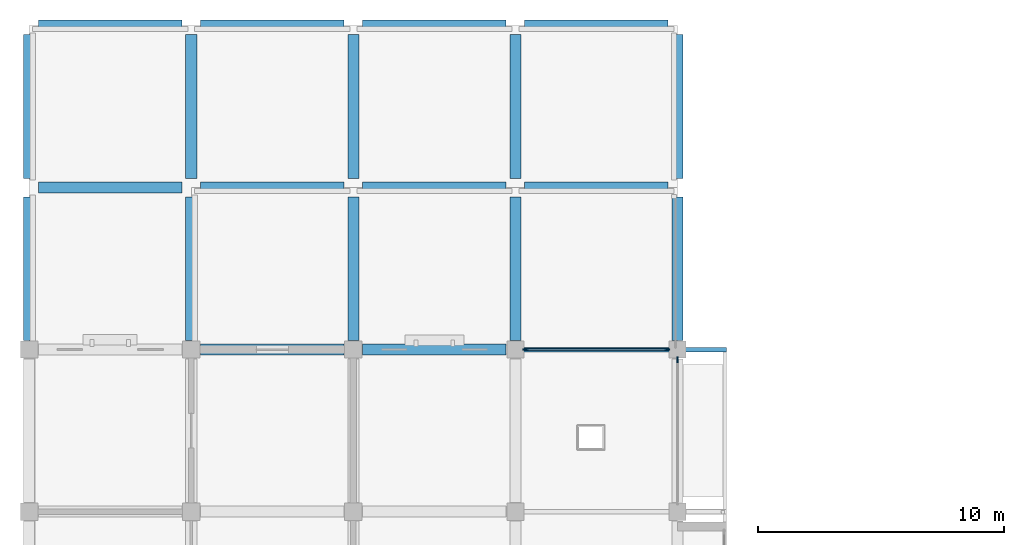
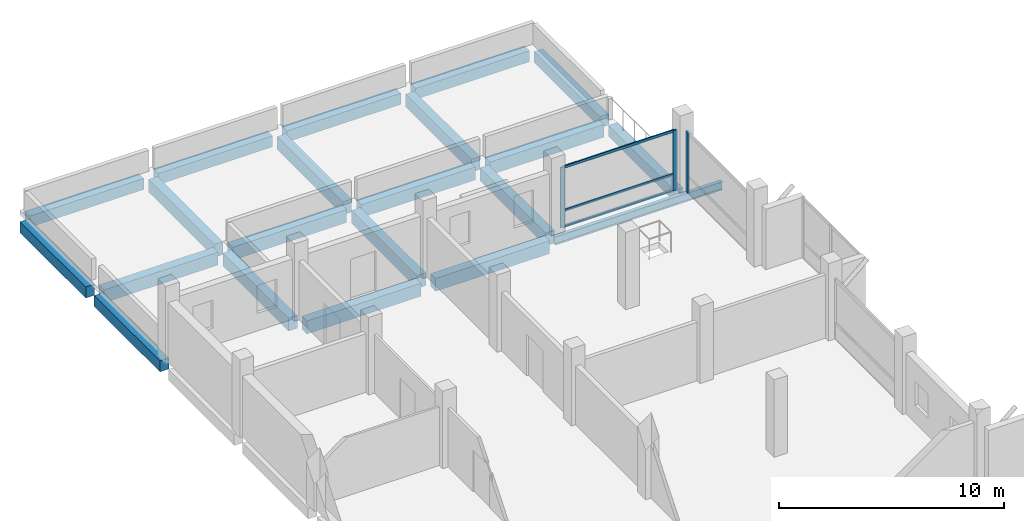
# One storey, part 5 of 13: 21 beams, 6 members, 2 elements without a shape of their own.
"""IFC4 building model written with IfcOpenShell, lengths in metres."""

from ifc_helpers import new_model, si_unit, direction, frame, origin, origin_2d, place, context, subcontext, project, spatial, rectangle, i_section, extrude, material, material_profile, profile_set, type_object, element, aggregate, save


model = new_model("IFC4")

# Units and contexts
model_context = context("Model", 3, precision=1e-05, world=origin(), true_north=direction((0.0, 1.0)))
body_context = subcontext(model_context, "Body", "Model", "MODEL_VIEW")
ifc_project = project(units=[si_unit("LENGTHUNIT", "METRE"), si_unit("AREAUNIT", "SQUARE_METRE"), si_unit("VOLUMEUNIT", "CUBIC_METRE"), si_unit("PLANEANGLEUNIT", "RADIAN"), si_unit("MASSUNIT", "GRAM", prefix="KILO")], contexts=[model_context])

# Site, building, storey
site_placement = place(None, origin())
site = spatial("IfcSite", under=ifc_project, at=site_placement, CompositionType="ELEMENT")
building_placement = place(site_placement, origin())
building = spatial("IfcBuilding", under=site, at=building_placement, Name="Rusizi Kubbe Research Institute", CompositionType="ELEMENT")
storey_placement = place(building_placement, frame((0.0, 0.0, 35.39990234375)))
storey = spatial("IfcBuildingStorey", under=building, at=storey_placement, Name="L08", CompositionType="ELEMENT", Elevation=35.39990234375)

# Beams
ifc_material_1 = material(Name="Steel S355", Category="steel")
ifc_material_profile_1 = material_profile(ifc_material_1, i_section(OverallWidth=0.18994140625, OverallDepth=0.449951171875, WebThickness=0.009521484375, FlangeThickness=0.0146484375, at=origin_2d()), Name="IPE 450")
ifc_profile_set_1 = profile_set([ifc_material_profile_1], Name="Steel S355")
beam_type_1 = type_object("IfcBeamType", Name="BM-IPE450", PredefinedType="BEAM", material=ifc_profile_set_1)
beam_1_placement = place(storey_placement, frame((19.800048828125, 66.0, -0.544921875), z_axis=(1.0, 0.0, 0.0), x_axis=(0.0, 1.0, 0.0)))
element("IfcBeam", 1, at=beam_1_placement, inside=storey, type_object=beam_type_1, Name="Cumba Back-Spanned Cantilever Beam L08-5N", PredefinedType="BEAM", context=body_context, shape_type="SweptSolid", body=[
    extrude(i_section(OverallWidth=0.18994140625, OverallDepth=0.449951171875, WebThickness=0.009521484375, FlangeThickness=0.0146484375, at=origin_2d()), origin(), (0.0, 0.0, 1.0), 8.599853515625),
])
ifc_material_2 = material(Name="Concrete C40/50", Category="concrete")
ifc_material_profile_2 = material_profile(ifc_material_2, rectangle(XDim=0.449951171875, YDim=0.60009765625, at=origin_2d()), Name="RC450x600")
ifc_profile_set_2 = profile_set([ifc_material_profile_2], Name="Concrete C40/50")
beam_type_2 = type_object("IfcBeamType", Name="BM-RC450x600", PredefinedType="SPANDREL", material=ifc_profile_set_2)
beam_2_placement = place(storey_placement, frame((0.375, 79.199951171875, -0.619873046875), z_axis=(1.0, 0.0, 0.0), x_axis=(0.0, 1.0, 0.0)))
element("IfcBeam", 2, at=beam_2_placement, inside=storey, type_object=beam_type_2, Name="Grid Beam H L08 (0,12)", PredefinedType="SPANDREL", context=body_context, shape_type="SweptSolid", body=[
    extrude(rectangle(XDim=0.449951171875, YDim=0.60009765625, at=origin_2d()), origin(), (0.0, 0.0, 1.0), 5.85009765625),
])
beam_3_placement = place(storey_placement, frame((6.97509765625, 79.199951171875, -0.619873046875), z_axis=(1.0, 0.0, 0.0), x_axis=(0.0, 1.0, 0.0)))
element("IfcBeam", 3, at=beam_3_placement, inside=storey, type_object=beam_type_2, Name="Grid Beam H L08 (1,12)", PredefinedType="SPANDREL", context=body_context, shape_type="SweptSolid", body=[
    extrude(rectangle(XDim=0.449951171875, YDim=0.60009765625, at=origin_2d()), origin(), (0.0, 0.0, 1.0), 5.849853515625),
])
beam_4_placement = place(storey_placement, frame((13.574951171875, 79.199951171875, -0.619873046875), z_axis=(1.0, 0.0, 0.0), x_axis=(0.0, 1.0, 0.0)))
element("IfcBeam", 4, at=beam_4_placement, inside=storey, type_object=beam_type_2, Name="Grid Beam H L08 (2,12)", PredefinedType="SPANDREL", context=body_context, shape_type="SweptSolid", body=[
    extrude(rectangle(XDim=0.449951171875, YDim=0.60009765625, at=origin_2d()), origin(), (0.0, 0.0, 1.0), 5.85009765625),
])
beam_5_placement = place(storey_placement, frame((20.175048828125, 79.199951171875, -0.619873046875), z_axis=(1.0, 0.0, 0.0), x_axis=(0.0, 1.0, 0.0)))
element("IfcBeam", 5, at=beam_5_placement, inside=storey, type_object=beam_type_2, Name="Grid Beam H L08 (3,12)", PredefinedType="SPANDREL", context=body_context, shape_type="SweptSolid", body=[
    extrude(rectangle(XDim=0.449951171875, YDim=0.60009765625, at=origin_2d()), origin(), (0.0, 0.0, 1.0), 5.849853515625),
])
beam_6_placement = place(storey_placement, frame((0.0, 66.375, -0.619873046875), z_axis=(0.0, 1.0, 0.0), x_axis=(-1.0, 0.0, 0.0)))
element("IfcBeam", 6, at=beam_6_placement, inside=storey, type_object=beam_type_2, Name="Grid Beam V L08 (0,10)", PredefinedType="SPANDREL", context=body_context, shape_type="SweptSolid", body=[
    extrude(rectangle(XDim=0.449951171875, YDim=0.60009765625, at=origin_2d()), origin(), (0.0, 0.0, 1.0), 5.85009765625),
])
beam_7_placement = place(storey_placement, frame((0.0, 72.97509765625, -0.619873046875), z_axis=(0.0, 1.0, 0.0), x_axis=(-1.0, 0.0, 0.0)))
element("IfcBeam", 7, at=beam_7_placement, inside=storey, type_object=beam_type_2, Name="Grid Beam V L08 (0,11)", PredefinedType="SPANDREL", context=body_context, shape_type="SweptSolid", body=[
    extrude(rectangle(XDim=0.449951171875, YDim=0.60009765625, at=origin_2d()), origin(), (0.0, 0.0, 1.0), 5.849853515625),
])
beam_8_placement = place(storey_placement, frame((26.39990234375, 66.375, -0.619873046875), z_axis=(0.0, 1.0, 0.0), x_axis=(-1.0, 0.0, 0.0)))
element("IfcBeam", 8, at=beam_8_placement, inside=storey, type_object=beam_type_2, Name="Grid Beam V L08 (4,10)", PredefinedType="SPANDREL", context=body_context, shape_type="SweptSolid", body=[
    extrude(rectangle(XDim=0.449951171875, YDim=0.60009765625, at=origin_2d()), origin(), (0.0, 0.0, 1.0), 5.85009765625),
])
beam_9_placement = place(storey_placement, frame((26.39990234375, 72.97509765625, -0.619873046875), z_axis=(0.0, 1.0, 0.0), x_axis=(-1.0, 0.0, 0.0)))
element("IfcBeam", 9, at=beam_9_placement, inside=storey, type_object=beam_type_2, Name="Grid Beam V L08 (4,11)", PredefinedType="SPANDREL", context=body_context, shape_type="SweptSolid", body=[
    extrude(rectangle(XDim=0.449951171875, YDim=0.60009765625, at=origin_2d()), origin(), (0.0, 0.0, 1.0), 5.849853515625),
])
ifc_material_3 = material(Name="Concrete C40/50", Category="concrete")
ifc_material_profile_3 = material_profile(ifc_material_3, rectangle(XDim=0.449951171875, YDim=0.699951171875, at=origin_2d()), Name="RC450x700B")
ifc_profile_set_3 = profile_set([ifc_material_profile_3], Name="Concrete C40/50")
beam_type_3 = type_object("IfcBeamType", Name="BM-RC450x700", PredefinedType="BEAM", material=ifc_profile_set_3)
beam_10_placement = place(storey_placement, frame((0.375, 72.60009765625, -0.669921875), z_axis=(1.0, 0.0, 0.0), x_axis=(0.0, 1.0, 0.0)))
element("IfcBeam", 10, at=beam_10_placement, inside=storey, type_object=beam_type_3, Name="Grid Beam H L08 (0,11)", PredefinedType="BEAM", context=body_context, shape_type="SweptSolid", body=[
    extrude(rectangle(XDim=0.449951171875, YDim=0.699951171875, at=origin_2d()), origin(), (0.0, 0.0, 1.0), 5.85009765625),
])
for number, where, z_axis, x_axis, name in (
    (11, (6.97509765625, 66.0, -0.669921875), (1.0, 0.0, 0.0), (0.0, 1.0, 0.0), "Grid Beam H L08 (1,10)"),
    (12, (6.97509765625, 72.60009765625, -0.669921875), (1.0, 0.0, 0.0), (0.0, 1.0, 0.0), "Grid Beam H L08 (1,11)"),
):
    element("IfcBeam", number, at=place(storey_placement, frame(where, z_axis=z_axis, x_axis=x_axis)), inside=storey, type_object=beam_type_3, Name=name, PredefinedType="BEAM", context=body_context, shape_type="SweptSolid", body=[
        extrude(rectangle(XDim=0.449951171875, YDim=0.699951171875, at=origin_2d()), origin(), (0.0, 0.0, 1.0), 5.849853515625),
    ])
for number, where, z_axis, x_axis, name in (
    (13, (13.574951171875, 66.0, -0.669921875), (1.0, 0.0, 0.0), (0.0, 1.0, 0.0), "Grid Beam H L08 (2,10)"),
    (14, (13.574951171875, 72.60009765625, -0.669921875), (1.0, 0.0, 0.0), (0.0, 1.0, 0.0), "Grid Beam H L08 (2,11)"),
):
    element("IfcBeam", number, at=place(storey_placement, frame(where, z_axis=z_axis, x_axis=x_axis)), inside=storey, type_object=beam_type_3, Name=name, PredefinedType="BEAM", context=body_context, shape_type="SweptSolid", body=[
        extrude(rectangle(XDim=0.449951171875, YDim=0.699951171875, at=origin_2d()), origin(), (0.0, 0.0, 1.0), 5.85009765625),
    ])
beam_11_placement = place(storey_placement, frame((20.175048828125, 72.60009765625, -0.669921875), z_axis=(1.0, 0.0, 0.0), x_axis=(0.0, 1.0, 0.0)))
element("IfcBeam", 15, at=beam_11_placement, inside=storey, type_object=beam_type_3, Name="Grid Beam H L08 (3,11)", PredefinedType="BEAM", context=body_context, shape_type="SweptSolid", body=[
    extrude(rectangle(XDim=0.449951171875, YDim=0.699951171875, at=origin_2d()), origin(), (0.0, 0.0, 1.0), 5.849853515625),
])
beam_12_placement = place(storey_placement, frame((6.60009765625, 66.375, -0.669921875), z_axis=(0.0, 1.0, 0.0), x_axis=(-1.0, 0.0, 0.0)))
element("IfcBeam", 16, at=beam_12_placement, inside=storey, type_object=beam_type_3, Name="Grid Beam V L08 (1,10)", PredefinedType="BEAM", context=body_context, shape_type="SweptSolid", body=[
    extrude(rectangle(XDim=0.449951171875, YDim=0.699951171875, at=origin_2d()), origin(), (0.0, 0.0, 1.0), 5.85009765625),
])
beam_13_placement = place(storey_placement, frame((6.60009765625, 72.97509765625, -0.669921875), z_axis=(0.0, 1.0, 0.0), x_axis=(-1.0, 0.0, 0.0)))
element("IfcBeam", 17, at=beam_13_placement, inside=storey, type_object=beam_type_3, Name="Grid Beam V L08 (1,11)", PredefinedType="BEAM", context=body_context, shape_type="SweptSolid", body=[
    extrude(rectangle(XDim=0.449951171875, YDim=0.699951171875, at=origin_2d()), origin(), (0.0, 0.0, 1.0), 5.849853515625),
])
beam_14_placement = place(storey_placement, frame((13.199951171875, 66.375, -0.669921875), z_axis=(0.0, 1.0, 0.0), x_axis=(-1.0, 0.0, 0.0)))
element("IfcBeam", 18, at=beam_14_placement, inside=storey, type_object=beam_type_3, Name="Grid Beam V L08 (2,10)", PredefinedType="BEAM", context=body_context, shape_type="SweptSolid", body=[
    extrude(rectangle(XDim=0.449951171875, YDim=0.699951171875, at=origin_2d()), origin(), (0.0, 0.0, 1.0), 5.85009765625),
])
beam_15_placement = place(storey_placement, frame((13.199951171875, 72.97509765625, -0.669921875), z_axis=(0.0, 1.0, 0.0), x_axis=(-1.0, 0.0, 0.0)))
element("IfcBeam", 19, at=beam_15_placement, inside=storey, type_object=beam_type_3, Name="Grid Beam V L08 (2,11)", PredefinedType="BEAM", context=body_context, shape_type="SweptSolid", body=[
    extrude(rectangle(XDim=0.449951171875, YDim=0.699951171875, at=origin_2d()), origin(), (0.0, 0.0, 1.0), 5.849853515625),
])
beam_16_placement = place(storey_placement, frame((19.800048828125, 66.375, -0.669921875), z_axis=(0.0, 1.0, 0.0), x_axis=(-1.0, 0.0, 0.0)))
element("IfcBeam", 20, at=beam_16_placement, inside=storey, type_object=beam_type_3, Name="Grid Beam V L08 (3,10)", PredefinedType="BEAM", context=body_context, shape_type="SweptSolid", body=[
    extrude(rectangle(XDim=0.449951171875, YDim=0.699951171875, at=origin_2d()), origin(), (0.0, 0.0, 1.0), 5.85009765625),
])
beam_17_placement = place(storey_placement, frame((19.800048828125, 72.97509765625, -0.669921875), z_axis=(0.0, 1.0, 0.0), x_axis=(-1.0, 0.0, 0.0)))
element("IfcBeam", 21, at=beam_17_placement, inside=storey, type_object=beam_type_3, Name="Grid Beam V L08 (3,11)", PredefinedType="BEAM", context=body_context, shape_type="SweptSolid", body=[
    extrude(rectangle(XDim=0.449951171875, YDim=0.699951171875, at=origin_2d()), origin(), (0.0, 0.0, 1.0), 5.849853515625),
])

# Curtain wall, members
ifc_material_4 = material(Name="Thermally Broken Aluminium and Low-E Glazing", Category="aluminium")
curtain_wall_type = type_object("IfcCurtainWallType", Name="CW-11", PredefinedType="NOTDEFINED", material=ifc_material_4)
curtain_wall_1_placement = place(storey_placement, origin())
curtain_wall_1 = element("IfcCurtainWall", 22, at=curtain_wall_1_placement, inside=storey, type_object=curtain_wall_type, Name="Unitised Facade Curtain Wall CW-L08-H-03-10", PredefinedType="NOTDEFINED")
ifc_material_5 = material(Name="Aluminium Alloy 6063-T6", Category="aluminium")
ifc_material_profile_4 = material_profile(ifc_material_5, rectangle(XDim=0.070068359375, YDim=0.219970703125, at=origin_2d()), Name="ALU-M 70x220")
ifc_profile_set_4 = profile_set([ifc_material_profile_4], Name="Aluminium Alloy 6063-T6")
member_type_1 = type_object("IfcMemberType", Name="ML-04", PredefinedType="MULLION", material=ifc_profile_set_4)
member_1_placement = place(storey_placement, frame((20.215087890625, 66.0, 0.0), z_axis=(0.0, 0.0, 1.0), x_axis=(0.0, 1.0, 0.0)))
member_1 = element("IfcMember", 23, at=member_1_placement, type_object=member_type_1, Name="CW-11 mullion 1", PredefinedType="MULLION", context=body_context, shape_type="SweptSolid", body=[
    extrude(rectangle(XDim=0.070068359375, YDim=0.219970703125, at=origin_2d()), origin(), (0.0, 0.0, 1.0), 3.280029296875),
])
member_2_placement = place(storey_placement, frame((25.985107421875, 66.0, 0.0), z_axis=(0.0, 0.0, 1.0), x_axis=(0.0, 1.0, 0.0)))
member_2 = element("IfcMember", 24, at=member_2_placement, type_object=member_type_1, Name="CW-11 mullion 2", PredefinedType="MULLION", context=body_context, shape_type="SweptSolid", body=[
    extrude(rectangle(XDim=0.070068359375, YDim=0.219970703125, at=origin_2d()), origin(), (0.0, 0.0, 1.0), 3.280029296875),
])

# Curtain wall, member
curtain_wall_2_placement = place(storey_placement, origin())
curtain_wall_2 = element("IfcCurtainWall", 25, at=curtain_wall_2_placement, inside=storey, type_object=curtain_wall_type, Name="Unitised Facade Curtain Wall CW-L08-V-04-09", PredefinedType="NOTDEFINED")
ifc_material_6 = material(Name="Aluminium Alloy 6063-T6", Category="aluminium")
ifc_material_profile_5 = material_profile(ifc_material_6, rectangle(XDim=0.074951171875, YDim=0.25, at=origin_2d()), Name="ALU-M 75x250")
ifc_profile_set_5 = profile_set([ifc_material_profile_5], Name="Aluminium Alloy 6063-T6")
member_type_2 = type_object("IfcMemberType", Name="ML-05", PredefinedType="MULLION", material=ifc_profile_set_5)
member_3_placement = place(storey_placement, frame((26.39990234375, 65.58251953125, 0.0), z_axis=(0.0, 0.0, 1.0), x_axis=(-1.0, 0.0, 0.0)))
member_3 = element("IfcMember", 26, at=member_3_placement, type_object=member_type_2, Name="CW-11 mullion 2", PredefinedType="MULLION", context=body_context, shape_type="SweptSolid", body=[
    extrude(rectangle(XDim=0.074951171875, YDim=0.25, at=origin_2d()), origin(), (0.0, 0.0, 1.0), 3.280029296875),
])
aggregate(curtain_wall_2, [member_3])

# Member
ifc_material_7 = material(Name="Aluminium Alloy 6063-T6", Category="aluminium")
ifc_material_profile_6 = material_profile(ifc_material_7, rectangle(XDim=0.06005859375, YDim=0.139892578125, at=origin_2d()), Name="ALU-T 60x140")
ifc_profile_set_6 = profile_set([ifc_material_profile_6], Name="Aluminium Alloy 6063-T6")
member_type_3 = type_object("IfcMemberType", Name="TR-02", PredefinedType="USERDEFINED", material=ifc_profile_set_6)
member_4_placement = place(storey_placement, frame((20.25, 66.0, 0.030029296875), z_axis=(1.0, 0.0, 0.0), x_axis=(0.0, 1.0, 0.0)))
member_4 = element("IfcMember", 27, at=member_4_placement, type_object=member_type_3, Name="CW-11 transom 1.1", ObjectType="TRANSOM", PredefinedType="USERDEFINED", context=body_context, shape_type="SweptSolid", body=[
    extrude(rectangle(XDim=0.06005859375, YDim=0.139892578125, at=origin_2d()), origin(), (0.0, 0.0, 1.0), 5.699951171875),
])

member_5_placement = place(storey_placement, frame((20.25, 66.0, 0.900146484375), z_axis=(1.0, 0.0, 0.0), x_axis=(0.0, 1.0, 0.0)))
member_5 = element("IfcMember", 28, at=member_5_placement, type_object=member_type_3, Name="CW-11 transom 1.2", ObjectType="TRANSOM", PredefinedType="USERDEFINED", context=body_context, shape_type="SweptSolid", body=[
    extrude(rectangle(XDim=0.06005859375, YDim=0.139892578125, at=origin_2d()), origin(), (0.0, 0.0, 1.0), 5.699951171875),
])

member_6_placement = place(storey_placement, frame((20.25, 66.0, 3.25), z_axis=(1.0, 0.0, 0.0), x_axis=(0.0, 1.0, 0.0)))
member_6 = element("IfcMember", 29, at=member_6_placement, type_object=member_type_3, Name="CW-11 transom 1.3", ObjectType="TRANSOM", PredefinedType="USERDEFINED", context=body_context, shape_type="SweptSolid", body=[
    extrude(rectangle(XDim=0.06005859375, YDim=0.139892578125, at=origin_2d()), origin(), (0.0, 0.0, 1.0), 5.699951171875),
])

aggregate(curtain_wall_1, [member_1, member_2, member_4, member_5, member_6])

save(model, "model.ifc")
